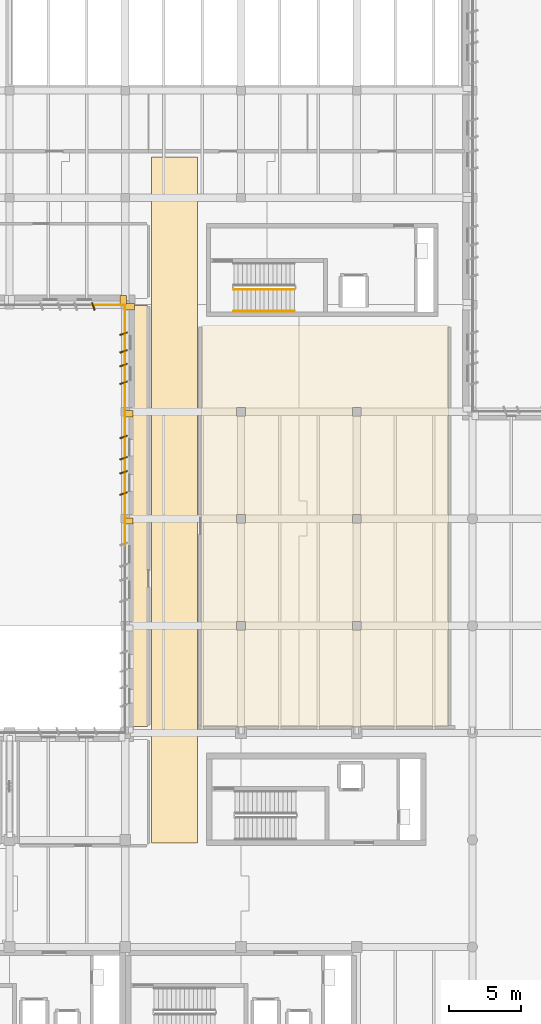
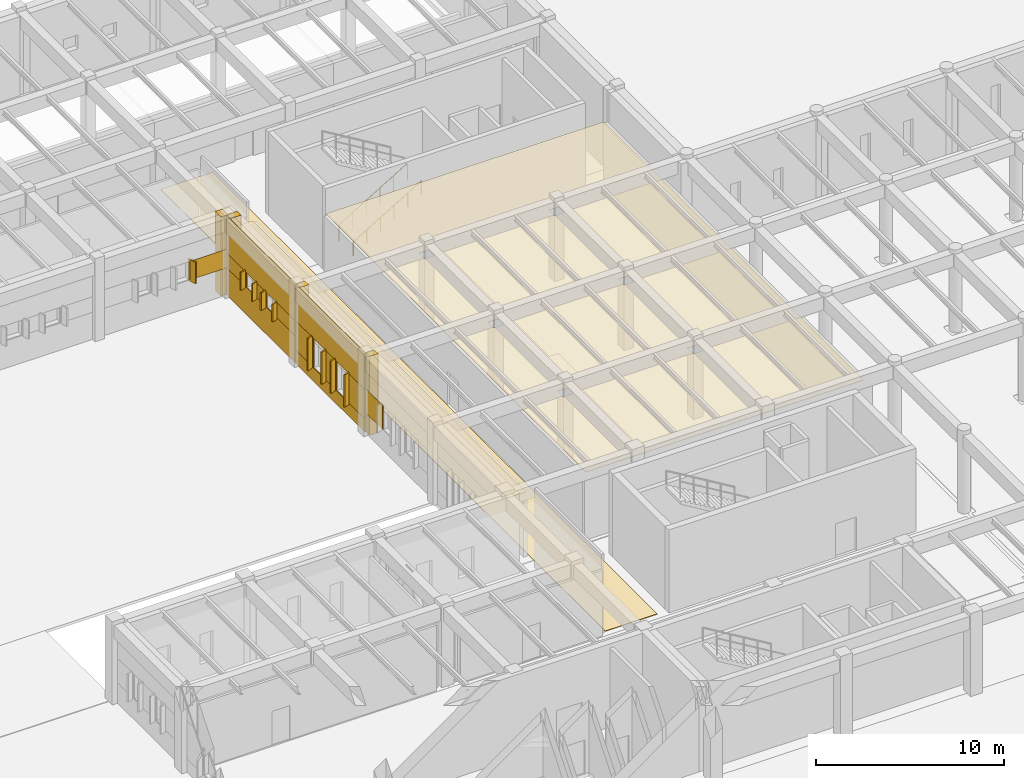
# One storey, part 43 of 56: 28 coverings, 2 railings.
"""IFC4 building model written with IfcOpenShell, lengths in metres."""

from ifc_helpers import new_model, si_unit, direction, frame, frame_2d, origin, origin_2d, place, context, subcontext, project, spatial, polyline, rectangle, circle, outline, extrude, material, layer, layer_set, type_object, element, save


model = new_model("IFC4")

# Units and contexts
model_context = context("Model", 3, precision=1e-05, world=origin(), true_north=direction((0.0, 1.0)))
body_context = subcontext(model_context, "Body", "Model", "MODEL_VIEW")
ifc_project = project(units=[si_unit("LENGTHUNIT", "METRE"), si_unit("AREAUNIT", "SQUARE_METRE"), si_unit("VOLUMEUNIT", "CUBIC_METRE"), si_unit("PLANEANGLEUNIT", "RADIAN"), si_unit("MASSUNIT", "GRAM", prefix="KILO")], contexts=[model_context])

# Site, building, storey
site_placement = place(None, origin())
site = spatial("IfcSite", under=ifc_project, at=site_placement, CompositionType="ELEMENT")
building_placement = place(site_placement, origin())
building = spatial("IfcBuilding", under=site, at=building_placement, Name="Valkorina Park Police Headquarters", CompositionType="ELEMENT")
storey_placement = place(building_placement, origin())
storey = spatial("IfcBuildingStorey", under=building, at=storey_placement, Name="L01", CompositionType="ELEMENT", Elevation=0.0)

# Coverings
ifc_material_1 = material(Name="Acoustic mineral board")
ifc_layer_1 = layer(ifc_material_1, 0.02490234375)
ifc_layer_set_1 = layer_set([ifc_layer_1], Name="Acoustic mineral board")
covering_type_1 = type_object("IfcCoveringType", Name="COV-CEILING-ACOUST", PredefinedType="CEILING", material=ifc_layer_set_1)
covering_1_placement = place(storey_placement, frame((0.0, 0.0, 4.264892578125)))
element("IfcCovering", 1, at=covering_1_placement, inside=storey, type_object=covering_type_1, Name="Detainee Property Store Acoustic Suspended Ceiling", PredefinedType="CEILING", context=body_context, shape_type="SweptSolid", body=[
    extrude(outline(polyline([(34.3583984375, 59.704345703125), (34.359619140625, 59.712158203125), (34.360107421875, 59.719970703125), (34.360107421875, 88.679931640625), (34.359619140625, 88.687744140625), (34.3583984375, 88.695556640625), (34.356689453125, 88.703125), (34.35400390625, 88.710693359375), (34.3505859375, 88.7177734375), (34.346435546875, 88.724365234375), (34.341796875, 88.730712890625), (34.336669921875, 88.736572265625), (34.330810546875, 88.74169921875), (34.324462890625, 88.74658203125), (34.317626953125, 88.75048828125), (34.310546875, 88.75390625), (34.30322265625, 88.756591796875), (34.295654296875, 88.758544921875), (34.287841796875, 88.759521484375), (34.280029296875, 88.760009765625), (33.320068359375, 88.760009765625), (33.312255859375, 88.759521484375), (33.304443359375, 88.758544921875), (33.296875, 88.756591796875), (33.289306640625, 88.75390625), (33.2822265625, 88.75048828125), (33.275634765625, 88.74658203125), (33.269287109375, 88.74169921875), (33.263427734375, 88.736572265625), (33.25830078125, 88.730712890625), (33.25341796875, 88.724365234375), (33.24951171875, 88.7177734375), (33.24609375, 88.710693359375), (33.243408203125, 88.703125), (33.241455078125, 88.695556640625), (33.240478515625, 88.687744140625), (33.239990234375, 88.679931640625), (33.239990234375, 59.719970703125), (33.240478515625, 59.712158203125), (33.241455078125, 59.704345703125), (33.243408203125, 59.69677734375), (33.24609375, 59.689453125), (33.24951171875, 59.682373046875), (33.25341796875, 59.675537109375), (33.25830078125, 59.669189453125), (33.263427734375, 59.663330078125), (33.269287109375, 59.658203125), (33.275634765625, 59.653564453125), (33.2822265625, 59.6494140625), (33.289306640625, 59.64599609375), (33.296875, 59.643310546875), (33.304443359375, 59.6416015625), (33.312255859375, 59.640380859375), (33.320068359375, 59.639892578125), (34.280029296875, 59.639892578125), (34.287841796875, 59.640380859375), (34.295654296875, 59.6416015625), (34.30322265625, 59.643310546875), (34.310546875, 59.64599609375), (34.317626953125, 59.6494140625), (34.324462890625, 59.653564453125), (34.330810546875, 59.658203125), (34.336669921875, 59.663330078125), (34.341796875, 59.669189453125), (34.346435546875, 59.675537109375), (34.3505859375, 59.682373046875), (34.35400390625, 59.689453125), (34.356689453125, 59.69677734375), (34.3583984375, 59.704345703125)])), origin(), (0.0, 0.0, 1.0), 0.025146484375),
])
covering_2_placement = place(storey_placement, frame((0.0, 0.0, 4.264892578125)))
element("IfcCovering", 2, at=covering_2_placement, inside=storey, type_object=covering_type_1, Name="Custody Escort Sergeant Office Acoustic Suspended Ceiling", PredefinedType="CEILING", context=body_context, shape_type="SweptSolid", body=[
    extrude(outline(polyline([(55.158447265625, 59.704345703125), (55.15966796875, 59.712158203125), (55.159912109375, 59.719970703125), (55.159912109375, 87.280029296875), (55.15966796875, 87.287841796875), (55.158447265625, 87.295654296875), (55.156494140625, 87.30322265625), (55.15380859375, 87.310546875), (55.150634765625, 87.317626953125), (55.146484375, 87.324462890625), (55.141845703125, 87.330810546875), (55.13671875, 87.336669921875), (55.130859375, 87.341796875), (55.12451171875, 87.346435546875), (55.11767578125, 87.3505859375), (55.110595703125, 87.35400390625), (55.103271484375, 87.356689453125), (55.095703125, 87.3583984375), (55.087890625, 87.359619140625), (55.080078125, 87.360107421875), (38.1201171875, 87.360107421875), (38.1123046875, 87.359619140625), (38.1044921875, 87.3583984375), (38.0966796875, 87.356689453125), (38.08935546875, 87.35400390625), (38.082275390625, 87.3505859375), (38.07568359375, 87.346435546875), (38.069091796875, 87.341796875), (38.0634765625, 87.336669921875), (38.05810546875, 87.330810546875), (38.053466796875, 87.324462890625), (38.04931640625, 87.317626953125), (38.046142578125, 87.310546875), (38.04345703125, 87.30322265625), (38.04150390625, 87.295654296875), (38.040283203125, 87.287841796875), (38.0400390625, 87.280029296875), (38.0400390625, 59.719970703125), (38.040283203125, 59.712158203125), (38.04150390625, 59.704345703125), (38.04345703125, 59.69677734375), (38.046142578125, 59.689453125), (38.04931640625, 59.682373046875), (38.053466796875, 59.675537109375), (38.05810546875, 59.669189453125), (38.0634765625, 59.663330078125), (38.069091796875, 59.658203125), (38.07568359375, 59.653564453125), (38.082275390625, 59.6494140625), (38.08935546875, 59.64599609375), (38.0966796875, 59.643310546875), (38.1044921875, 59.6416015625), (38.1123046875, 59.640380859375), (38.1201171875, 59.639892578125), (55.080078125, 59.639892578125), (55.087890625, 59.640380859375), (55.095703125, 59.6416015625), (55.103271484375, 59.643310546875), (55.110595703125, 59.64599609375), (55.11767578125, 59.6494140625), (55.12451171875, 59.653564453125), (55.130859375, 59.658203125), (55.13671875, 59.663330078125), (55.141845703125, 59.669189453125), (55.146484375, 59.675537109375), (55.150634765625, 59.682373046875), (55.15380859375, 59.689453125), (55.156494140625, 59.69677734375), (55.158447265625, 59.704345703125)]), holes=[polyline([(49.10009765625, 81.10009765625), (48.5, 81.10009765625), (48.5, 81.699951171875), (49.10009765625, 81.699951171875), (49.10009765625, 81.10009765625)]), polyline([(49.10009765625, 73.699951171875), (48.5, 73.699951171875), (48.5, 74.300048828125), (49.10009765625, 74.300048828125), (49.10009765625, 73.699951171875)]), polyline([(49.10009765625, 66.300048828125), (48.5, 66.300048828125), (48.5, 66.89990234375), (49.10009765625, 66.89990234375), (49.10009765625, 66.300048828125)]), polyline([(41.10009765625, 81.10009765625), (40.5, 81.10009765625), (40.5, 81.699951171875), (41.10009765625, 81.699951171875), (41.10009765625, 81.10009765625)]), polyline([(41.10009765625, 73.699951171875), (40.5, 73.699951171875), (40.5, 74.300048828125), (41.10009765625, 74.300048828125), (41.10009765625, 73.699951171875)]), polyline([(41.10009765625, 66.300048828125), (40.5, 66.300048828125), (40.5, 66.89990234375), (41.10009765625, 66.89990234375), (41.10009765625, 66.300048828125)])]), origin(), (0.0, 0.0, 1.0), 0.025146484375),
])
ifc_material_2 = material(Name="Precast concrete C40/50", Category="concrete")
ifc_layer_2 = layer(ifc_material_2, 0.044921875)
ifc_layer_set_2 = layer_set([ifc_layer_2], Name="Precast concrete C40/50")
covering_type_2 = type_object("IfcCoveringType", Name="COV-CLAD-DOLOMITE", PredefinedType="CLADDING", material=ifc_layer_set_2)
covering_3_placement = place(storey_placement, frame((33.090087890625, 73.860107421875, 0.0), z_axis=(0.0, 0.0, 1.0), x_axis=(0.0, 1.0, 0.0)))
element("IfcCovering", 3, at=covering_3_placement, inside=storey, type_object=covering_type_2, Name="L01 Exterior Joint Closure Pilaster B 0131", PredefinedType="CLADDING", context=body_context, shape_type="SweptSolid", body=[
    extrude(rectangle(XDim=0.419921875, YDim=0.52197265625, at=origin_2d()), origin(), (0.0, 0.0, 1.0), 5.139892578125),
])
covering_4_placement = place(storey_placement, frame((32.784912109375, 72.1455078125, 1.320068359375), z_axis=(0.0, 0.0, 1.0), x_axis=(0.0, 1.0, 0.0)))
element("IfcCovering", 4, at=covering_4_placement, inside=storey, type_object=covering_type_2, Name="L01 Calm Concrete Base Slot Pier 0140", PredefinedType="CLADDING", context=body_context, shape_type="SweptSolid", body=[
    extrude(rectangle(XDim=1.83447265625, YDim=0.044921875, at=frame_2d((0.917236328125, 0.0))), origin(), (0.0, 0.0, 1.0), 1.559814453125),
])
covering_5_placement = place(storey_placement, frame((33.090087890625, 81.260009765625, 0.0), z_axis=(0.0, 0.0, 1.0), x_axis=(0.0, 1.0, 0.0)))
element("IfcCovering", 5, at=covering_5_placement, inside=storey, type_object=covering_type_2, Name="L01 Exterior Joint Closure Pilaster B 0141", PredefinedType="CLADDING", context=body_context, shape_type="SweptSolid", body=[
    extrude(rectangle(XDim=0.419921875, YDim=0.52197265625, at=origin_2d()), origin(), (0.0, 0.0, 1.0), 5.139892578125),
])
for number, where, z_axis, x_axis, name in (
    (6, (32.679931640625, 75.74462890625, 0.77978515625), (0.0, 0.0, 1.0), (-0.948323655206, -0.317304656405, 0.0), "Slanted 18.5-deg Precast Window Slot Fin 0142"),
    (7, (32.679931640625, 77.214599609375, 0.77978515625), (0.0, 0.0, 1.0), (-0.948323655206, -0.317304656405, 0.0), "Slanted 18.5-deg Precast Window Slot Fin 0143"),
    (8, (32.679931640625, 78.185302734375, 0.77978515625), (0.0, 0.0, 1.0), (-0.948323655206, -0.317304656405, 0.0), "Slanted 18.5-deg Precast Window Slot Fin 0144"),
    (9, (32.679931640625, 79.655517578125, 0.77978515625), (0.0, 0.0, 1.0), (-0.948323655206, -0.317304656405, 0.0), "Slanted 18.5-deg Precast Window Slot Fin 0145"),
):
    element("IfcCovering", number, at=place(storey_placement, frame(where, z_axis=z_axis, x_axis=x_axis)), inside=storey, type_object=covering_type_2, Name=name, PredefinedType="CLADDING", context=body_context, shape_type="SweptSolid", body=[
        extrude(rectangle(XDim=0.5400390625, YDim=0.090087890625, at=origin_2d()), origin(), (0.0, 0.0, 1.0), 2.090087890625),
    ])
covering_6_placement = place(storey_placement, frame((32.784912109375, 74.02001953125, 0.0), z_axis=(0.0, 0.0, 1.0), x_axis=(0.0, 1.0, 0.0)))
element("IfcCovering", 10, at=covering_6_placement, inside=storey, type_object=covering_type_2, Name="L01 Calm Concrete Base Sill Spandrel 0146", PredefinedType="CLADDING", context=body_context, shape_type="SweptSolid", body=[
    extrude(rectangle(XDim=7.35986328125, YDim=0.044921875, at=frame_2d((3.679931640625, 0.0))), origin(), (0.0, 0.0, 1.0), 0.8701171875),
])
covering_7_placement = place(storey_placement, frame((32.784912109375, 74.02001953125, 2.780029296875), z_axis=(0.0, 0.0, 1.0), x_axis=(0.0, 1.0, 0.0)))
element("IfcCovering", 11, at=covering_7_placement, inside=storey, type_object=covering_type_2, Name="L01 Calm Concrete Base Lintel Spandrel 0147", PredefinedType="CLADDING", context=body_context, shape_type="SweptSolid", body=[
    extrude(rectangle(XDim=7.35986328125, YDim=0.044921875, at=frame_2d((3.679931640625, 0.0))), origin(), (0.0, 0.0, 1.0), 2.35986328125),
])
covering_8_placement = place(storey_placement, frame((32.784912109375, 74.02001953125, 0.8701171875), z_axis=(0.0, 0.0, 1.0), x_axis=(0.0, 1.0, 0.0)))
element("IfcCovering", 12, at=covering_8_placement, inside=storey, type_object=covering_type_2, Name="L01 Calm Concrete Base Slot Pier 0148", PredefinedType="CLADDING", context=body_context, shape_type="SweptSolid", body=[
    extrude(rectangle(XDim=1.83447265625, YDim=0.044921875, at=frame_2d((0.917236328125, 0.0))), origin(), (0.0, 0.0, 1.0), 1.909912109375),
])
covering_9_placement = place(storey_placement, frame((32.784912109375, 77.1044921875, 0.8701171875), z_axis=(0.0, 0.0, 1.0), x_axis=(0.0, 1.0, 0.0)))
element("IfcCovering", 13, at=covering_9_placement, inside=storey, type_object=covering_type_2, Name="L01 Calm Concrete Base Slot Pier 0149", PredefinedType="CLADDING", context=body_context, shape_type="SweptSolid", body=[
    extrude(rectangle(XDim=1.19091796875, YDim=0.044921875, at=frame_2d((0.595458984375, 0.0))), origin(), (0.0, 0.0, 1.0), 1.909912109375),
])
covering_10_placement = place(storey_placement, frame((32.784912109375, 79.54541015625, 0.8701171875), z_axis=(0.0, 0.0, 1.0), x_axis=(0.0, 1.0, 0.0)))
element("IfcCovering", 14, at=covering_10_placement, inside=storey, type_object=covering_type_2, Name="L01 Calm Concrete Base Slot Pier 0150", PredefinedType="CLADDING", context=body_context, shape_type="SweptSolid", body=[
    extrude(rectangle(XDim=1.83447265625, YDim=0.044921875, at=frame_2d((0.917236328125, 0.0))), origin(), (0.0, 0.0, 1.0), 1.909912109375),
])
covering_11_placement = place(storey_placement, frame((33.139892578125, 88.659912109375, 0.0), z_axis=(0.0, 0.0, 1.0), x_axis=(0.0, 1.0, 0.0)))
element("IfcCovering", 15, at=covering_11_placement, inside=storey, type_object=covering_type_2, Name="L01 Exterior Joint Closure Pilaster B 0151", PredefinedType="CLADDING", context=body_context, shape_type="SweptSolid", body=[
    extrude(rectangle(XDim=0.419921875, YDim=0.612060546875, at=origin_2d()), origin(), (0.0, 0.0, 1.0), 5.139892578125),
])
for number, where, z_axis, x_axis, name in (
    (16, (32.679931640625, 83.4052734375, 1.68017578125), (0.0, 0.0, 1.0), (-0.948323655206, -0.317304656405, 0.0), "Slanted 18.5-deg Precast Window Slot Fin 0152"),
    (17, (32.679931640625, 84.625244140625, 1.68017578125), (0.0, 0.0, 1.0), (-0.948323655206, -0.317304656405, 0.0), "Slanted 18.5-deg Precast Window Slot Fin 0153"),
    (18, (32.679931640625, 85.57470703125, 1.68017578125), (0.0, 0.0, 1.0), (-0.948323655206, -0.317304656405, 0.0), "Slanted 18.5-deg Precast Window Slot Fin 0154"),
    (19, (32.679931640625, 86.794921875, 1.68017578125), (0.0, 0.0, 1.0), (-0.948323655206, -0.317304656405, 0.0), "Slanted 18.5-deg Precast Window Slot Fin 0155"),
):
    element("IfcCovering", number, at=place(storey_placement, frame(where, z_axis=z_axis, x_axis=x_axis)), inside=storey, type_object=covering_type_2, Name=name, PredefinedType="CLADDING", context=body_context, shape_type="SweptSolid", body=[
        extrude(rectangle(XDim=0.5400390625, YDim=0.090087890625, at=origin_2d()), origin(), (0.0, 0.0, 1.0), 1.139892578125),
    ])
covering_12_placement = place(storey_placement, frame((32.784912109375, 81.419921875, 0.0), z_axis=(0.0, 0.0, 1.0), x_axis=(0.0, 1.0, 0.0)))
element("IfcCovering", 20, at=covering_12_placement, inside=storey, type_object=covering_type_2, Name="L01 Calm Concrete Base Sill Spandrel 0156", PredefinedType="CLADDING", context=body_context, shape_type="SweptSolid", body=[
    extrude(rectangle(XDim=7.360107421875, YDim=0.044921875, at=frame_2d((3.68017578125, 0.0))), origin(), (0.0, 0.0, 1.0), 1.77001953125),
])
covering_13_placement = place(storey_placement, frame((32.784912109375, 81.419921875, 2.72998046875), z_axis=(0.0, 0.0, 1.0), x_axis=(0.0, 1.0, 0.0)))
element("IfcCovering", 21, at=covering_13_placement, inside=storey, type_object=covering_type_2, Name="L01 Calm Concrete Base Lintel Spandrel 0157", PredefinedType="CLADDING", context=body_context, shape_type="SweptSolid", body=[
    extrude(rectangle(XDim=7.360107421875, YDim=0.044921875, at=frame_2d((3.68017578125, 0.0))), origin(), (0.0, 0.0, 1.0), 2.409912109375),
])
covering_14_placement = place(storey_placement, frame((32.784912109375, 81.419921875, 1.77001953125), z_axis=(0.0, 0.0, 1.0), x_axis=(0.0, 1.0, 0.0)))
element("IfcCovering", 22, at=covering_14_placement, inside=storey, type_object=covering_type_2, Name="L01 Calm Concrete Base Slot Pier 0158", PredefinedType="CLADDING", context=body_context, shape_type="SweptSolid", body=[
    extrude(rectangle(XDim=2.09521484375, YDim=0.044921875, at=frame_2d((1.047607421875, 0.0))), origin(), (0.0, 0.0, 1.0), 0.9599609375),
])
covering_15_placement = place(storey_placement, frame((32.784912109375, 84.51513671875, 1.77001953125), z_axis=(0.0, 0.0, 1.0), x_axis=(0.0, 1.0, 0.0)))
element("IfcCovering", 23, at=covering_15_placement, inside=storey, type_object=covering_type_2, Name="L01 Calm Concrete Base Slot Pier 0159", PredefinedType="CLADDING", context=body_context, shape_type="SweptSolid", body=[
    extrude(rectangle(XDim=1.169677734375, YDim=0.044921875, at=frame_2d((0.5849609375, 0.0))), origin(), (0.0, 0.0, 1.0), 0.9599609375),
])
covering_16_placement = place(storey_placement, frame((32.784912109375, 86.684814453125, 1.77001953125), z_axis=(0.0, 0.0, 1.0), x_axis=(0.0, 1.0, 0.0)))
element("IfcCovering", 24, at=covering_16_placement, inside=storey, type_object=covering_type_2, Name="L01 Calm Concrete Base Slot Pier 0160", PredefinedType="CLADDING", context=body_context, shape_type="SweptSolid", body=[
    extrude(rectangle(XDim=2.09521484375, YDim=0.044921875, at=frame_2d((1.047607421875, 0.0))), origin(), (0.0, 0.0, 1.0), 0.9599609375),
])
covering_17_placement = place(storey_placement, frame((32.659912109375, 89.139892578125, 0.0), z_axis=(0.0, 0.0, 1.0), x_axis=(1.0, 0.0, 0.0)))
element("IfcCovering", 25, at=covering_17_placement, inside=storey, type_object=covering_type_2, Name="L01 Exterior Joint Closure Pilaster A 0161", PredefinedType="CLADDING", context=body_context, shape_type="SweptSolid", body=[
    extrude(rectangle(XDim=0.419921875, YDim=0.612060546875, at=origin_2d()), origin(), (0.0, 0.0, 1.0), 5.139892578125),
])
covering_18_placement = place(storey_placement, frame((30.5908203125, 88.679931640625, 1.68017578125), z_axis=(0.0, 0.0, 1.0), x_axis=(0.317304656405, -0.948323655206, 0.0)))
element("IfcCovering", 26, at=covering_18_placement, inside=storey, type_object=covering_type_2, Name="Slanted 18.5-deg Precast Window Slot Fin 0163", PredefinedType="CLADDING", context=body_context, shape_type="SweptSolid", body=[
    extrude(rectangle(XDim=0.5400390625, YDim=0.090087890625, at=origin_2d()), origin(), (0.0, 0.0, 1.0), 1.389892578125),
])
covering_19_placement = place(storey_placement, frame((32.780029296875, 88.784912109375, 1.77001953125), z_axis=(0.0, 0.0, 1.0), x_axis=(-1.0, 0.0, 0.0)))
element("IfcCovering", 27, at=covering_19_placement, inside=storey, type_object=covering_type_2, Name="L01 Calm Concrete Base Slot Pier 0169", PredefinedType="CLADDING", context=body_context, shape_type="SweptSolid", body=[
    extrude(rectangle(XDim=2.29931640625, YDim=0.044921875, at=frame_2d((1.149658203125, 0.0))), origin(), (0.0, 0.0, 1.0), 1.2099609375),
])
ifc_material_3 = material(Name="Resin terrazzo flooring")
ifc_layer_3 = layer(ifc_material_3, 0.030029296875)
ifc_layer_set_3 = layer_set([ifc_layer_3], Name="Resin terrazzo flooring")
covering_type_3 = type_object("IfcCoveringType", Name="COV-FLOOR-TERRAZZO", PredefinedType="FLOORING", material=ifc_layer_set_3)
covering_20_placement = place(storey_placement, origin())
element("IfcCovering", 28, at=covering_20_placement, inside=storey, type_object=covering_type_3, Name="Custody Escort Transfer Corridor Terrazzo Flooring", PredefinedType="FLOORING", context=body_context, shape_type="SweptSolid", body=[
    extrude(outline(polyline([(37.800048828125, 99.0), (34.60009765625, 99.0), (34.60009765625, 51.60009765625), (37.800048828125, 51.60009765625), (37.800048828125, 99.0)])), origin(), (0.0, 0.0, 1.0), 0.030029296875),
])

# Railings
ifc_material_4 = material(Name="Stainless steel EN 1.4404", Category="steel")
railing_type_1 = type_object("IfcRailingType", Name="RL-GUARD-INT-1100", PredefinedType="BALUSTRADE", material=ifc_material_4)
railing_1_placement = place(storey_placement, frame((40.300048828125, 89.85009765625, 0.179931640625)))
element("IfcRailing", 29, at=railing_1_placement, inside=storey, type_object=railing_type_1, Name="L01 Core C4 Stair Guard 1", PredefinedType="BALUSTRADE", context=body_context, shape_type="SweptSolid", body=[
    extrude(circle(Radius=0.02392578125, at=origin_2d()), frame((0.0, 0.0, 1.09619140625), z_axis=(0.857488527567, 0.0, 0.514503085598), x_axis=(0.0, 1.0, 0.0)), (0.0, 0.0, 1.0), 4.89794921875),
    extrude(circle(Radius=0.02099609375, at=origin_2d()), origin(), (0.0, 0.0, 1.0), 1.072021484375),
    extrude(circle(Radius=0.02099609375, at=origin_2d()), frame((0.840087890625, 0.0, 0.50390625)), (0.0, 0.0, 1.0), 1.072021484375),
    extrude(circle(Radius=0.02099609375, at=origin_2d()), frame((1.679931640625, 0.0, 1.008056640625)), (0.0, 0.0, 1.0), 1.072021484375),
    extrude(circle(Radius=0.02099609375, at=origin_2d()), frame((2.52001953125, 0.0, 1.511962890625)), (0.0, 0.0, 1.0), 1.072021484375),
    extrude(circle(Radius=0.02099609375, at=origin_2d()), frame((3.35986328125, 0.0, 2.01611328125)), (0.0, 0.0, 1.0), 1.072021484375),
    extrude(circle(Radius=0.02099609375, at=origin_2d()), frame((4.199951171875, 0.0, 2.52001953125)), (0.0, 0.0, 1.0), 1.072021484375),
])
railing_type_2 = type_object("IfcRailingType", Name="RL-HANDRAIL-900", PredefinedType="HANDRAIL", material=ifc_material_4)
railing_2_placement = place(storey_placement, frame((40.300048828125, 88.35009765625, 0.179931640625)))
element("IfcRailing", 30, at=railing_2_placement, inside=storey, type_object=railing_type_2, Name="L01 Core C4 Stair Handrail 1", PredefinedType="HANDRAIL", context=body_context, shape_type="SweptSolid", body=[
    extrude(circle(Radius=0.02392578125, at=origin_2d()), frame((0.0, 0.0, 0.8759765625), z_axis=(0.857488527567, 0.0, 0.514503085598), x_axis=(0.0, 1.0, 0.0)), (0.0, 0.0, 1.0), 4.89794921875),
    extrude(circle(Radius=0.02099609375, at=origin_2d()), origin(), (0.0, 0.0, 1.0), 0.851806640625),
    extrude(circle(Radius=0.02099609375, at=origin_2d()), frame((0.840087890625, 0.0, 0.50390625)), (0.0, 0.0, 1.0), 0.851806640625),
    extrude(circle(Radius=0.02099609375, at=origin_2d()), frame((1.679931640625, 0.0, 1.008056640625)), (0.0, 0.0, 1.0), 0.851806640625),
    extrude(circle(Radius=0.02099609375, at=origin_2d()), frame((2.52001953125, 0.0, 1.511962890625)), (0.0, 0.0, 1.0), 0.851806640625),
    extrude(circle(Radius=0.02099609375, at=origin_2d()), frame((3.35986328125, 0.0, 2.01611328125)), (0.0, 0.0, 1.0), 0.851806640625),
    extrude(circle(Radius=0.02099609375, at=origin_2d()), frame((4.199951171875, 0.0, 2.52001953125)), (0.0, 0.0, 1.0), 0.851806640625),
])

save(model, "model.ifc")
